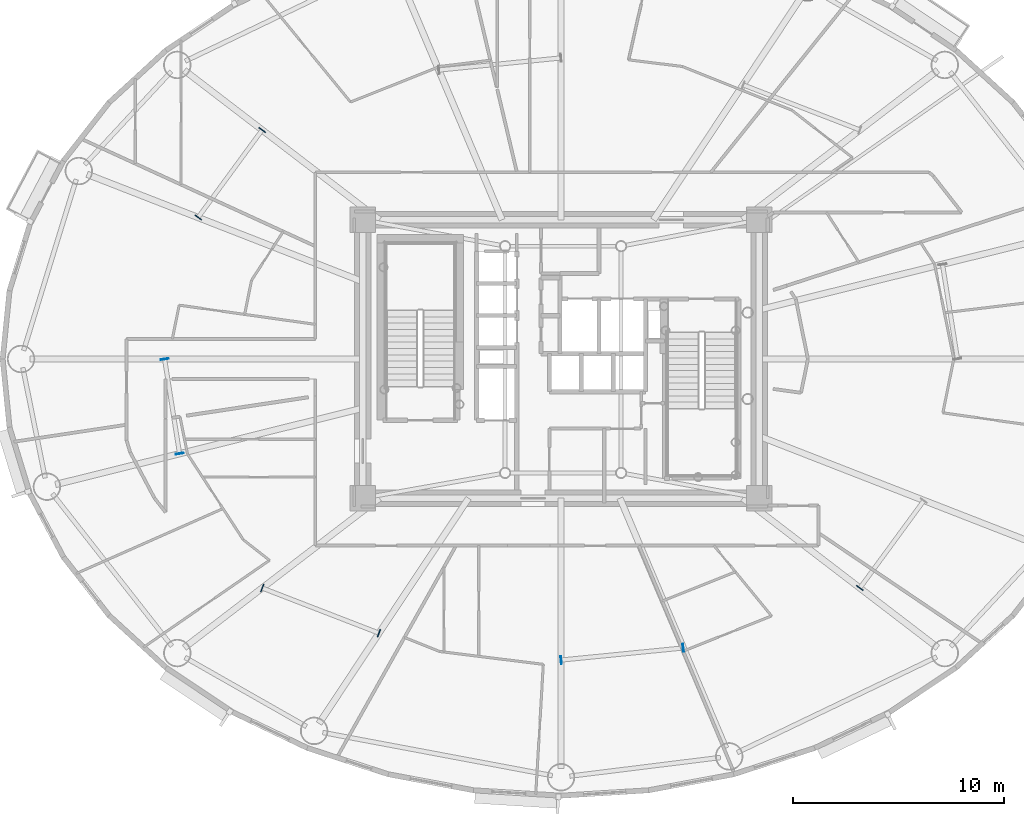
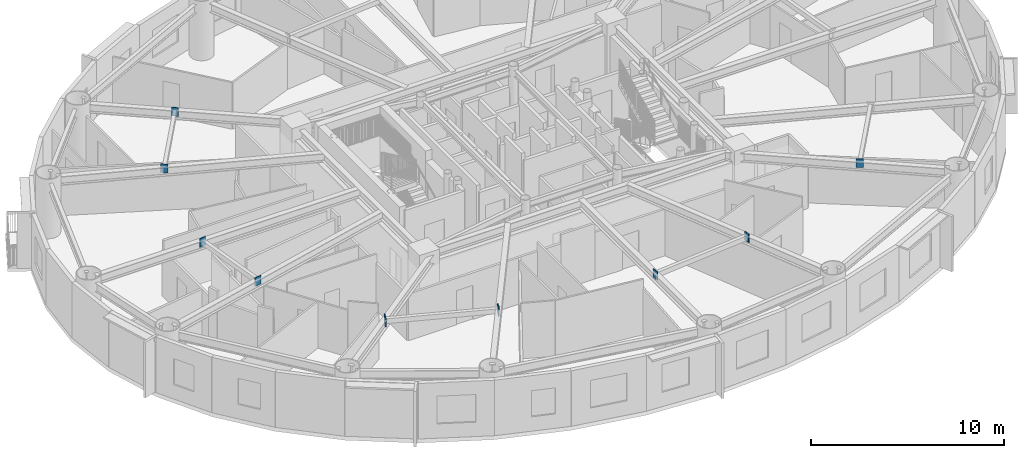
# One storey, part 7 of 21: 9 plates.
"""IFC4 building model written with IfcOpenShell, lengths in metres."""

from ifc_helpers import new_model, si_unit, direction, frame, origin, origin_2d, place, context, subcontext, project, spatial, rectangle, extrude, source, transform, mapped, material, layer, layer_set, type_object, element, save


model = new_model("IFC4")

# Units and contexts
model_context = context("Model", 3, precision=1e-05, world=origin(), true_north=direction((0.0, 1.0)))
body_context = subcontext(model_context, "Body", "Model", "MODEL_VIEW")
ifc_project = project(units=[si_unit("LENGTHUNIT", "METRE"), si_unit("AREAUNIT", "SQUARE_METRE"), si_unit("VOLUMEUNIT", "CUBIC_METRE"), si_unit("PLANEANGLEUNIT", "RADIAN"), si_unit("MASSUNIT", "GRAM", prefix="KILO")], contexts=[model_context])

# Site, building, storey
site_placement = place(None, origin())
site = spatial("IfcSite", under=ifc_project, at=site_placement, CompositionType="ELEMENT")
building_placement = place(site_placement, origin())
building = spatial("IfcBuilding", under=site, at=building_placement, Name="Linh Dai School and Residence Tower", CompositionType="ELEMENT")
storey_placement = place(building_placement, frame((0.0, 0.0, 156.14990234375)))
storey = spatial("IfcBuildingStorey", under=building, at=storey_placement, Name="L37", CompositionType="ELEMENT", Elevation=156.14990234375)

# Plates
ifc_material = material(Name="Structural Steel S355JR", Category="steel")
ifc_layer = layer(ifc_material, 0.0400390625)
ifc_layer_set = layer_set([ifc_layer], Name="Structural Steel S355JR")
plate_type = type_object("IfcPlateType", Name="PLT-GP1", PredefinedType="USERDEFINED", material=ifc_layer_set)
shared_shape = source(origin(), body_context, "Body", "SweptSolid", [
    extrude(rectangle(XDim=0.0400390625, YDim=0.3798828125, at=origin_2d()), origin(), (0.0, 0.0, 1.0), 0.5400390625),
])
for number, where, z_axis, x_axis, name in (
    (1, (21.828125, 37.854248046875, 3.080078125), (0.0, 0.0, 1.0), (-0.590797317165, -0.806820010926, 0.0), "L37 Secondary Beam End Plate 04A"),
    (2, (18.794677734375, 33.71142578125, 3.080078125), (0.0, 0.0, 1.0), (-0.590797317165, -0.806820010926, 0.0), "L37 Secondary Beam End Plate 04B"),
    (3, (17.204833984375, 26.9951171875, 3.080078125), (0.0, 0.0, 1.0), (0.156309354655, -0.987708148011, 0.0), "L37 Secondary Beam End Plate 05A"),
    (4, (17.9140625, 22.513427734375, 3.080078125), (0.0, 0.0, 1.0), (0.156309354655, -0.987708148011, 0.0), "L37 Secondary Beam End Plate 05B"),
    (5, (21.8359375, 16.139892578125, 3.080078125), (0.0, 0.0, 1.0), (0.932822787929, -0.36033546359, 0.0), "L37 Secondary Beam End Plate 06A"),
    (6, (27.36572265625, 14.00390625, 3.080078125), (0.0, 0.0, 1.0), (0.932822787929, -0.36033546359, 0.0), "L37 Secondary Beam End Plate 06B"),
    (7, (36.0048828125, 12.72705078125, 3.080078125), (0.0, 0.0, 1.0), (0.995144649372, 0.098423202682, 0.0), "L37 Secondary Beam End Plate 07A"),
    (8, (41.79248046875, 13.299560546875, 3.080078125), (0.0, 0.0, 1.0), (0.995144649372, 0.098423202682, 0.0), "L37 Secondary Beam End Plate 07B"),
    (9, (50.171875, 16.145751953125, 3.080078125), (0.0, 0.0, 1.0), (0.590797317165, 0.806820010926, 0.0), "L37 Secondary Beam End Plate 08A"),
):
    element("IfcPlate", number, at=place(storey_placement, frame(where, z_axis=z_axis, x_axis=x_axis)), inside=storey, type_object=plate_type, Name=name, ObjectType="GUSSET PLATE", PredefinedType="USERDEFINED", context=body_context, shape_type="MappedRepresentation", body=[
        mapped(shared_shape, transform((0.0, 0.0, 0.0), x_axis=(1.0, 0.0, 0.0), y_axis=(0.0, 1.0, 0.0), z_axis=(0.0, 0.0, 1.0), scale=1.0)),
    ])

save(model, "model.ifc")
